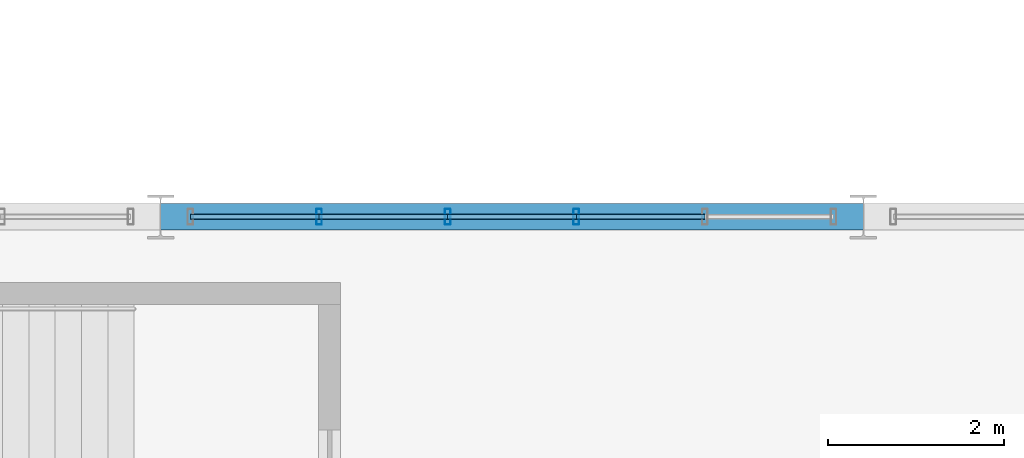
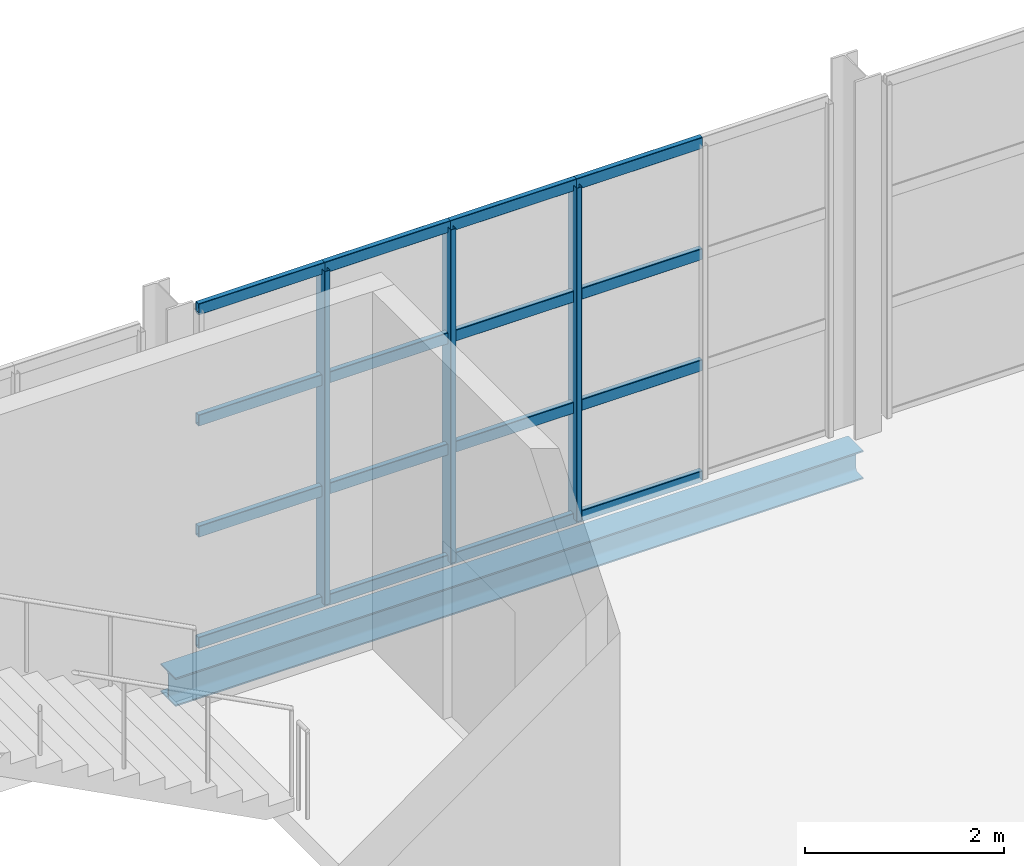
# One storey, part 78 of 153: 19 members, 1 beam, 1 element without a shape of its own.
"""IFC4 building model written with IfcOpenShell, lengths in metres."""

from ifc_helpers import new_model, si_unit, derived_unit, direction, frame, origin, origin_2d, place, context, subcontext, project, spatial, hollow_rectangle, i_section, extrude, material, material_profile, profile_set, type_object, element, aggregate, save


model = new_model("IFC4")

# Units and contexts
model_context = context("Model", 3, precision=1e-05, world=origin(), true_north=direction((0.0, 1.0)))
body_context = subcontext(model_context, "Body", "Model", "MODEL_VIEW")
ifc_project = project(units=[si_unit("LENGTHUNIT", "METRE"), si_unit("AREAUNIT", "SQUARE_METRE"), si_unit("VOLUMEUNIT", "CUBIC_METRE"), si_unit("PLANEANGLEUNIT", "RADIAN"), si_unit("MASSUNIT", "GRAM", prefix="KILO"), derived_unit("THERMALTRANSMITTANCEUNIT", [(si_unit("POWERUNIT", "WATT"), 1), (si_unit("LENGTHUNIT", "METRE"), -2), (si_unit("THERMODYNAMICTEMPERATUREUNIT", "KELVIN"), -1)])], contexts=[model_context])

# Site, building, storey
site_placement = place(None, origin())
site = spatial("IfcSite", under=ifc_project, at=site_placement, CompositionType="ELEMENT")
building_placement = place(site_placement, origin())
building = spatial("IfcBuilding", under=site, at=building_placement, Name="Keldorne Ridge Multi-Sports Centre", CompositionType="ELEMENT")
storey_placement = place(building_placement, frame((0.0, 0.0, 9.60009765625)))
storey = spatial("IfcBuildingStorey", under=building, at=storey_placement, Name="L02", CompositionType="ELEMENT", Elevation=9.60009765625)

# Beam
ifc_material_1 = material(Name="Steel S355", Category="steel")
ifc_material_profile_1 = material_profile(ifc_material_1, i_section(OverallWidth=0.300048828125, OverallDepth=0.35009765625, WebThickness=0.010009765625, FlangeThickness=0.017578125, FilletRadius=0.027099609375, at=origin_2d()), Name="HEA 360")
ifc_profile_set_1 = profile_set([ifc_material_profile_1], Name="Steel S355")
beam_type = type_object("IfcBeamType", Name="BM-SP-03", PredefinedType="SPANDREL", material=ifc_profile_set_1)
beam_placement = place(storey_placement, frame((112.0, 54.0, -0.4150390625), z_axis=(1.0, 0.0, 0.0), x_axis=(0.0, 1.0, 0.0)))
element("IfcBeam", 1, at=beam_placement, inside=storey, type_object=beam_type, Name="L02 Stacked Courts beam 2.13", PredefinedType="SPANDREL", context=body_context, shape_type="SweptSolid", body=[
    extrude(i_section(OverallWidth=0.300048828125, OverallDepth=0.35009765625, WebThickness=0.010009765625, FlangeThickness=0.017578125, FilletRadius=0.027099609375, at=origin_2d()), origin(), (0.0, 0.0, 1.0), 8.0),
])

# Curtain wall, members
ifc_material_2 = material(Name="Anodized aluminium", Category="aluminium")
curtain_wall_type = type_object("IfcCurtainWallType", Name="CW-CW-02", PredefinedType="NOTDEFINED", material=ifc_material_2)
curtain_wall_placement = place(storey_placement, origin())
curtain_wall = element("IfcCurtainWall", 2, at=curtain_wall_placement, inside=storey, type_object=curtain_wall_type, Name="Upper Courts north glazing 098", PredefinedType="NOTDEFINED")
ifc_material_profile_2 = material_profile(ifc_material_2, hollow_rectangle(XDim=0.06494140625, YDim=0.179931640625, WallThickness=0.00439453125, InnerFilletRadius=0.00439453125, OuterFilletRadius=0.009033203125, at=origin_2d()), Name="ALU MULLION 180x65x4.5")
ifc_profile_set_2 = profile_set([ifc_material_profile_2], Name="Anodized aluminium")
member_type_1 = type_object("IfcMemberType", Name="MEM-ML-01", PredefinedType="MULLION", material=ifc_profile_set_2)
member_1_placement = place(storey_placement, frame((116.73193359375, 54.0, 0.0), z_axis=(0.0, 0.0, 1.0), x_axis=(1.0, 0.0, 0.0)))
member_1 = element("IfcMember", 3, at=member_1_placement, type_object=member_type_1, Name="CW-098 vertical mullion 3", PredefinedType="MULLION", context=body_context, shape_type="SweptSolid", body=[
    extrude(hollow_rectangle(XDim=0.06494140625, YDim=0.179931640625, WallThickness=0.00439453125, InnerFilletRadius=0.00439453125, OuterFilletRadius=0.009033203125, at=origin_2d()), origin(), (0.0, 0.0, 1.0), 4.099853515625),
])
member_2_placement = place(storey_placement, frame((115.26806640625, 54.0, 0.0), z_axis=(0.0, 0.0, 1.0), x_axis=(1.0, 0.0, 0.0)))
member_2 = element("IfcMember", 4, at=member_2_placement, type_object=member_type_1, Name="CW-098 vertical mullion 4", PredefinedType="MULLION", context=body_context, shape_type="SweptSolid", body=[
    extrude(hollow_rectangle(XDim=0.06494140625, YDim=0.179931640625, WallThickness=0.00439453125, InnerFilletRadius=0.00439453125, OuterFilletRadius=0.009033203125, at=origin_2d()), origin(), (0.0, 0.0, 1.0), 4.099853515625),
])
member_3_placement = place(storey_placement, frame((113.803955078125, 54.0, 0.0), z_axis=(0.0, 0.0, 1.0), x_axis=(1.0, 0.0, 0.0)))
member_3 = element("IfcMember", 5, at=member_3_placement, type_object=member_type_1, Name="CW-098 vertical mullion 5", PredefinedType="MULLION", context=body_context, shape_type="SweptSolid", body=[
    extrude(hollow_rectangle(XDim=0.06494140625, YDim=0.179931640625, WallThickness=0.00439453125, InnerFilletRadius=0.00439453125, OuterFilletRadius=0.009033203125, at=origin_2d()), origin(), (0.0, 0.0, 1.0), 4.099853515625),
])
ifc_material_profile_3 = material_profile(ifc_material_2, hollow_rectangle(XDim=0.06494140625, YDim=0.139892578125, WallThickness=0.00439453125, InnerFilletRadius=0.00439453125, OuterFilletRadius=0.009033203125, at=origin_2d()), Name="ALU TRANSOM 140x65x4.5")
ifc_profile_set_3 = profile_set([ifc_material_profile_3], Name="Anodized aluminium")
member_type_2 = type_object("IfcMemberType", Name="MEM-TR-01", PredefinedType="USERDEFINED", material=ifc_profile_set_3)
member_4_placement = place(storey_placement, frame((118.196044921875, 54.0, 0.0), z_axis=(-1.0, 0.0, 0.0), x_axis=(0.0, -1.0, 0.0)))
member_4 = element("IfcMember", 6, at=member_4_placement, type_object=member_type_2, Name="CW-098 transom 2.1", ObjectType="TRANSOM", PredefinedType="USERDEFINED", context=body_context, shape_type="SweptSolid", body=[
    extrude(hollow_rectangle(XDim=0.06494140625, YDim=0.139892578125, WallThickness=0.00439453125, InnerFilletRadius=0.00439453125, OuterFilletRadius=0.009033203125, at=origin_2d()), origin(), (0.0, 0.0, 1.0), 1.464111328125),
])
member_5_placement = place(storey_placement, frame((118.196044921875, 54.0, 1.36669921875), z_axis=(-1.0, 0.0, 0.0), x_axis=(0.0, -1.0, 0.0)))
member_5 = element("IfcMember", 7, at=member_5_placement, type_object=member_type_2, Name="CW-098 transom 2.2", ObjectType="TRANSOM", PredefinedType="USERDEFINED", context=body_context, shape_type="SweptSolid", body=[
    extrude(hollow_rectangle(XDim=0.06494140625, YDim=0.139892578125, WallThickness=0.00439453125, InnerFilletRadius=0.00439453125, OuterFilletRadius=0.009033203125, at=origin_2d()), origin(), (0.0, 0.0, 1.0), 1.464111328125),
])
member_6_placement = place(storey_placement, frame((118.196044921875, 54.0, 2.733154296875), z_axis=(-1.0, 0.0, 0.0), x_axis=(0.0, -1.0, 0.0)))
member_6 = element("IfcMember", 8, at=member_6_placement, type_object=member_type_2, Name="CW-098 transom 2.3", ObjectType="TRANSOM", PredefinedType="USERDEFINED", context=body_context, shape_type="SweptSolid", body=[
    extrude(hollow_rectangle(XDim=0.06494140625, YDim=0.139892578125, WallThickness=0.00439453125, InnerFilletRadius=0.00439453125, OuterFilletRadius=0.009033203125, at=origin_2d()), origin(), (0.0, 0.0, 1.0), 1.464111328125),
])
member_7_placement = place(storey_placement, frame((118.196044921875, 54.0, 4.099853515625), z_axis=(-1.0, 0.0, 0.0), x_axis=(0.0, -1.0, 0.0)))
member_7 = element("IfcMember", 9, at=member_7_placement, type_object=member_type_2, Name="CW-098 transom 2.4", ObjectType="TRANSOM", PredefinedType="USERDEFINED", context=body_context, shape_type="SweptSolid", body=[
    extrude(hollow_rectangle(XDim=0.06494140625, YDim=0.139892578125, WallThickness=0.00439453125, InnerFilletRadius=0.00439453125, OuterFilletRadius=0.009033203125, at=origin_2d()), origin(), (0.0, 0.0, 1.0), 1.464111328125),
])
member_8_placement = place(storey_placement, frame((116.73193359375, 54.0, 0.0), z_axis=(-1.0, 0.0, 0.0), x_axis=(0.0, -1.0, 0.0)))
member_8 = element("IfcMember", 10, at=member_8_placement, type_object=member_type_2, Name="CW-098 transom 3.1", ObjectType="TRANSOM", PredefinedType="USERDEFINED", context=body_context, shape_type="SweptSolid", body=[
    extrude(hollow_rectangle(XDim=0.06494140625, YDim=0.139892578125, WallThickness=0.00439453125, InnerFilletRadius=0.00439453125, OuterFilletRadius=0.009033203125, at=origin_2d()), origin(), (0.0, 0.0, 1.0), 1.4638671875),
])
member_9_placement = place(storey_placement, frame((116.73193359375, 54.0, 1.36669921875), z_axis=(-1.0, 0.0, 0.0), x_axis=(0.0, -1.0, 0.0)))
member_9 = element("IfcMember", 11, at=member_9_placement, type_object=member_type_2, Name="CW-098 transom 3.2", ObjectType="TRANSOM", PredefinedType="USERDEFINED", context=body_context, shape_type="SweptSolid", body=[
    extrude(hollow_rectangle(XDim=0.06494140625, YDim=0.139892578125, WallThickness=0.00439453125, InnerFilletRadius=0.00439453125, OuterFilletRadius=0.009033203125, at=origin_2d()), origin(), (0.0, 0.0, 1.0), 1.4638671875),
])
member_10_placement = place(storey_placement, frame((116.73193359375, 54.0, 2.733154296875), z_axis=(-1.0, 0.0, 0.0), x_axis=(0.0, -1.0, 0.0)))
member_10 = element("IfcMember", 12, at=member_10_placement, type_object=member_type_2, Name="CW-098 transom 3.3", ObjectType="TRANSOM", PredefinedType="USERDEFINED", context=body_context, shape_type="SweptSolid", body=[
    extrude(hollow_rectangle(XDim=0.06494140625, YDim=0.139892578125, WallThickness=0.00439453125, InnerFilletRadius=0.00439453125, OuterFilletRadius=0.009033203125, at=origin_2d()), origin(), (0.0, 0.0, 1.0), 1.4638671875),
])
member_11_placement = place(storey_placement, frame((116.73193359375, 54.0, 4.099853515625), z_axis=(-1.0, 0.0, 0.0), x_axis=(0.0, -1.0, 0.0)))
member_11 = element("IfcMember", 13, at=member_11_placement, type_object=member_type_2, Name="CW-098 transom 3.4", ObjectType="TRANSOM", PredefinedType="USERDEFINED", context=body_context, shape_type="SweptSolid", body=[
    extrude(hollow_rectangle(XDim=0.06494140625, YDim=0.139892578125, WallThickness=0.00439453125, InnerFilletRadius=0.00439453125, OuterFilletRadius=0.009033203125, at=origin_2d()), origin(), (0.0, 0.0, 1.0), 1.4638671875),
])
member_12_placement = place(storey_placement, frame((115.26806640625, 54.0, 0.0), z_axis=(-1.0, 0.0, 0.0), x_axis=(0.0, -1.0, 0.0)))
member_12 = element("IfcMember", 14, at=member_12_placement, type_object=member_type_2, Name="CW-098 transom 4.1", ObjectType="TRANSOM", PredefinedType="USERDEFINED", context=body_context, shape_type="SweptSolid", body=[
    extrude(hollow_rectangle(XDim=0.06494140625, YDim=0.139892578125, WallThickness=0.00439453125, InnerFilletRadius=0.00439453125, OuterFilletRadius=0.009033203125, at=origin_2d()), origin(), (0.0, 0.0, 1.0), 1.464111328125),
])
member_13_placement = place(storey_placement, frame((115.26806640625, 54.0, 1.36669921875), z_axis=(-1.0, 0.0, 0.0), x_axis=(0.0, -1.0, 0.0)))
member_13 = element("IfcMember", 15, at=member_13_placement, type_object=member_type_2, Name="CW-098 transom 4.2", ObjectType="TRANSOM", PredefinedType="USERDEFINED", context=body_context, shape_type="SweptSolid", body=[
    extrude(hollow_rectangle(XDim=0.06494140625, YDim=0.139892578125, WallThickness=0.00439453125, InnerFilletRadius=0.00439453125, OuterFilletRadius=0.009033203125, at=origin_2d()), origin(), (0.0, 0.0, 1.0), 1.464111328125),
])
member_14_placement = place(storey_placement, frame((115.26806640625, 54.0, 2.733154296875), z_axis=(-1.0, 0.0, 0.0), x_axis=(0.0, -1.0, 0.0)))
member_14 = element("IfcMember", 16, at=member_14_placement, type_object=member_type_2, Name="CW-098 transom 4.3", ObjectType="TRANSOM", PredefinedType="USERDEFINED", context=body_context, shape_type="SweptSolid", body=[
    extrude(hollow_rectangle(XDim=0.06494140625, YDim=0.139892578125, WallThickness=0.00439453125, InnerFilletRadius=0.00439453125, OuterFilletRadius=0.009033203125, at=origin_2d()), origin(), (0.0, 0.0, 1.0), 1.464111328125),
])
member_15_placement = place(storey_placement, frame((115.26806640625, 54.0, 4.099853515625), z_axis=(-1.0, 0.0, 0.0), x_axis=(0.0, -1.0, 0.0)))
member_15 = element("IfcMember", 17, at=member_15_placement, type_object=member_type_2, Name="CW-098 transom 4.4", ObjectType="TRANSOM", PredefinedType="USERDEFINED", context=body_context, shape_type="SweptSolid", body=[
    extrude(hollow_rectangle(XDim=0.06494140625, YDim=0.139892578125, WallThickness=0.00439453125, InnerFilletRadius=0.00439453125, OuterFilletRadius=0.009033203125, at=origin_2d()), origin(), (0.0, 0.0, 1.0), 1.464111328125),
])
member_16_placement = place(storey_placement, frame((113.803955078125, 54.0, 0.0), z_axis=(-1.0, 0.0, 0.0), x_axis=(0.0, -1.0, 0.0)))
member_16 = element("IfcMember", 18, at=member_16_placement, type_object=member_type_2, Name="CW-098 transom 5.1", ObjectType="TRANSOM", PredefinedType="USERDEFINED", context=body_context, shape_type="SweptSolid", body=[
    extrude(hollow_rectangle(XDim=0.06494140625, YDim=0.139892578125, WallThickness=0.00439453125, InnerFilletRadius=0.00439453125, OuterFilletRadius=0.009033203125, at=origin_2d()), origin(), (0.0, 0.0, 1.0), 1.4638671875),
])
member_17_placement = place(storey_placement, frame((113.803955078125, 54.0, 1.36669921875), z_axis=(-1.0, 0.0, 0.0), x_axis=(0.0, -1.0, 0.0)))
member_17 = element("IfcMember", 19, at=member_17_placement, type_object=member_type_2, Name="CW-098 transom 5.2", ObjectType="TRANSOM", PredefinedType="USERDEFINED", context=body_context, shape_type="SweptSolid", body=[
    extrude(hollow_rectangle(XDim=0.06494140625, YDim=0.139892578125, WallThickness=0.00439453125, InnerFilletRadius=0.00439453125, OuterFilletRadius=0.009033203125, at=origin_2d()), origin(), (0.0, 0.0, 1.0), 1.4638671875),
])
member_18_placement = place(storey_placement, frame((113.803955078125, 54.0, 2.733154296875), z_axis=(-1.0, 0.0, 0.0), x_axis=(0.0, -1.0, 0.0)))
member_18 = element("IfcMember", 20, at=member_18_placement, type_object=member_type_2, Name="CW-098 transom 5.3", ObjectType="TRANSOM", PredefinedType="USERDEFINED", context=body_context, shape_type="SweptSolid", body=[
    extrude(hollow_rectangle(XDim=0.06494140625, YDim=0.139892578125, WallThickness=0.00439453125, InnerFilletRadius=0.00439453125, OuterFilletRadius=0.009033203125, at=origin_2d()), origin(), (0.0, 0.0, 1.0), 1.4638671875),
])
member_19_placement = place(storey_placement, frame((113.803955078125, 54.0, 4.099853515625), z_axis=(-1.0, 0.0, 0.0), x_axis=(0.0, -1.0, 0.0)))
member_19 = element("IfcMember", 21, at=member_19_placement, type_object=member_type_2, Name="CW-098 transom 5.4", ObjectType="TRANSOM", PredefinedType="USERDEFINED", context=body_context, shape_type="SweptSolid", body=[
    extrude(hollow_rectangle(XDim=0.06494140625, YDim=0.139892578125, WallThickness=0.00439453125, InnerFilletRadius=0.00439453125, OuterFilletRadius=0.009033203125, at=origin_2d()), origin(), (0.0, 0.0, 1.0), 1.4638671875),
])
aggregate(curtain_wall, [member_1, member_2, member_3, member_4, member_5, member_6, member_7, member_8, member_9, member_10, member_11, member_12, member_13, member_14, member_15, member_16, member_17, member_18, member_19])

save(model, "model.ifc")
